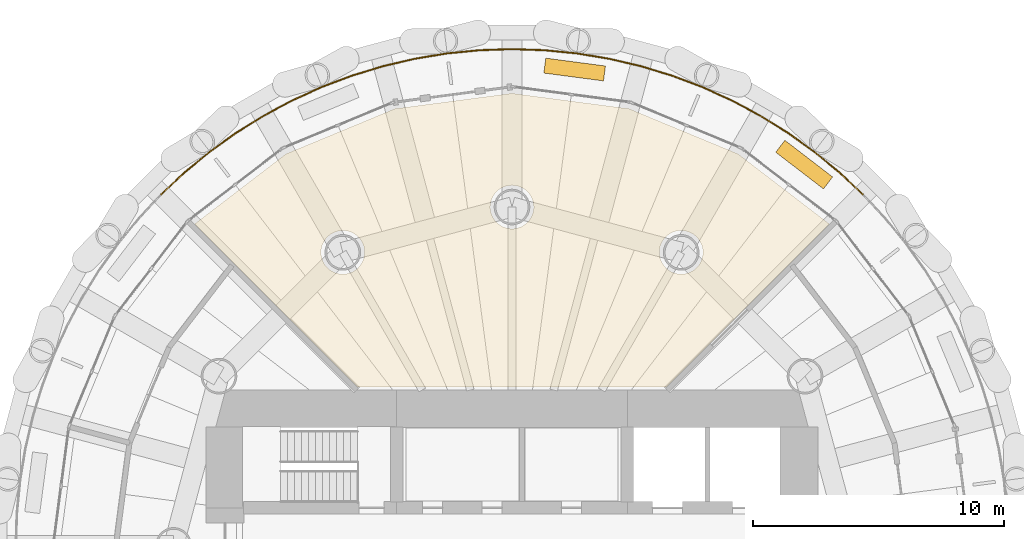
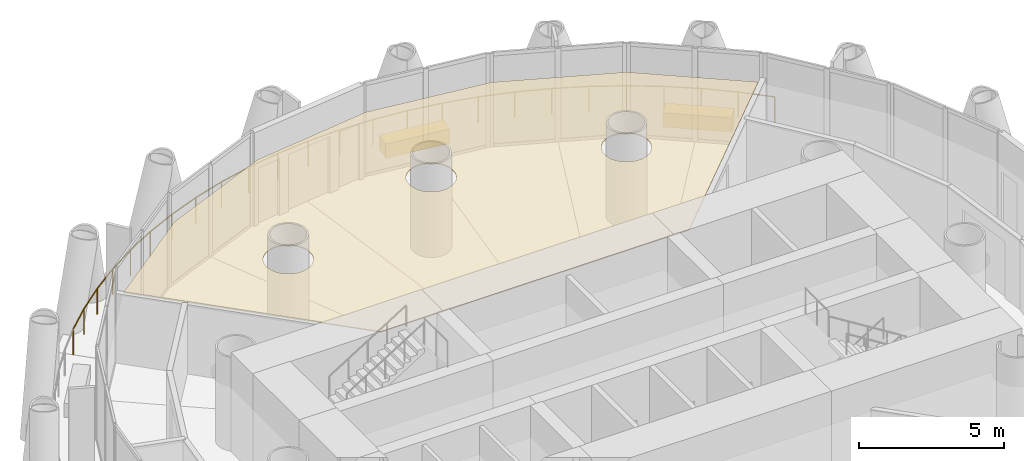
# One storey, part 13 of 13: 3 coverings, 1 railing.
"""IFC4 building model written with IfcOpenShell, lengths in metres."""

import ifcopenshell
import ifcopenshell.guid

model = None  # the IFC model being written
_history = None  # IfcOwnerHistory: only IFC2X3 demands one
_inside = {}  # id of a spatial element -> (the spatial element, [elements in it])
_under = {}  # id of a project, library or spatial element -> (it, [spatial elements below it])
_declared = {}  # id of a project -> (the project, [libraries it declares])
_typed = {}  # id of a type object -> (the type object, [elements of that type])
_made_of = {}  # id of a material, layer set ... -> (it, [elements and type objects made of it])


def new_model(schema):
    """Start an empty IFC model of exactly this schema.

    Asked for "IFC4X3", IfcOpenShell would pick the latest addendum, in which some entities
    have other attributes; the version numbers below select the first issue.
    IFC2X3 requires an IfcOwnerHistory on every rooted entity: one is made here for all.
    """
    global model, _history
    if schema == "IFC4X3":
        model = ifcopenshell.file(schema_version=(4, 3, 0, 0))
    else:
        model = ifcopenshell.file(schema=schema)
    _inside.clear()
    _under.clear()
    _declared.clear()
    _typed.clear()
    _made_of.clear()
    _history = None
    if model.schema == "IFC2X3":
        org = make("IfcOrganization", Name="unknown")
        user = make(
            "IfcPersonAndOrganization",
            ThePerson=make("IfcPerson", FamilyName="unknown"),
            TheOrganization=org,
        )
        app = make(
            "IfcApplication",
            ApplicationDeveloper=org,
            Version="unknown",
            ApplicationFullName="unknown",
            ApplicationIdentifier="unknown",
        )
        _history = make(
            "IfcOwnerHistory",
            OwningUser=user,
            OwningApplication=app,
            ChangeAction="ADDED",
            CreationDate=0,
        )
    return model


def make(cls, **values):
    """One entity of the class cls with the attributes given. An attribute that is None is left unset."""
    return model.create_entity(
        cls, **{name: value for name, value in values.items() if value is not None}
    )


def rooted(cls, **values):
    """An entity with a GlobalId (a new one), such as an element, a storey or a relation."""
    return make(cls, GlobalId=ifcopenshell.guid.new(), OwnerHistory=_history, **values)


def si_unit(unit_type, name, prefix=None):
    """IfcSIUnit, for example si_unit("LENGTHUNIT", "METRE", prefix="MILLI")."""
    return make("IfcSIUnit", UnitType=unit_type, Prefix=prefix, Name=name)


def assignment(units):
    """IfcUnitAssignment: the units of a project."""
    return None if units is None else make("IfcUnitAssignment", Units=units)


def point(xyz):
    """IfcCartesianPoint."""
    return None if xyz is None else make("IfcCartesianPoint", Coordinates=xyz)


def direction(xyz):
    """IfcDirection."""
    return None if xyz is None else make("IfcDirection", DirectionRatios=xyz)


def frame(location, z_axis=None, x_axis=None):
    """IfcAxis2Placement3D, a coordinate frame: its origin and axes. An axis left out is left unset."""
    return make(
        "IfcAxis2Placement3D",
        Location=point(location),
        Axis=direction(z_axis),
        RefDirection=direction(x_axis),
    )


def frame_2d(location, x_axis=None):
    """IfcAxis2Placement2D, a coordinate frame in the plane: its origin and x axis."""
    return make(
        "IfcAxis2Placement2D", Location=point(location), RefDirection=direction(x_axis)
    )


def origin():
    """The frame at (0, 0, 0) with its axes left unset."""
    return frame((0.0, 0.0, 0.0))


def origin_2d():
    """The frame at (0, 0) in the plane with its x axis left unset."""
    return frame_2d((0.0, 0.0))


def place(relative_to, where):
    """IfcLocalPlacement: puts the frame where relative to a parent placement (None: the world)."""
    return make(
        "IfcLocalPlacement", PlacementRelTo=relative_to, RelativePlacement=where
    )


def context(
    kind, dimensions, precision=None, world=None, true_north=None, identifier=None
):
    """IfcGeometricRepresentationContext, for example the 3D "Model" context."""
    return make(
        "IfcGeometricRepresentationContext",
        ContextIdentifier=identifier,
        ContextType=kind,
        CoordinateSpaceDimension=dimensions,
        Precision=precision,
        WorldCoordinateSystem=world,
        TrueNorth=true_north,
    )


def subcontext(parent, identifier, kind, view, scale=None):
    """IfcGeometricRepresentationSubContext, for example "Body" below "Model"."""
    return make(
        "IfcGeometricRepresentationSubContext",
        ContextIdentifier=identifier,
        ContextType=kind,
        ParentContext=parent,
        TargetScale=scale,
        TargetView=view,
    )


def project(units=None, contexts=None):
    """IfcProject with its units and contexts."""
    return rooted(
        "IfcProject",
        Name="project",
        RepresentationContexts=contexts,
        UnitsInContext=assignment(units),
    )


def spatial(cls, under=None, at=None, **own):
    """A site, building, storey or space (cls), placed at a placement, below another one or the project."""
    s = rooted(cls, ObjectPlacement=at, **own)
    if under is not None:
        _under.setdefault(under.id(), (under, []))[1].append(s)
    return s


def polyline(points):
    """IfcPolyline through the points."""
    return make("IfcPolyline", Points=[point(p) for p in points])


def profile(cls, at=None, kind="AREA", **sizes):
    """A parametric profile (cls). Its sizes go by their IFC names, for example OverallWidth=200.0."""
    return make(cls, ProfileType=kind, Position=at, **sizes)


def rectangle(**sizes):
    """IfcRectangleProfileDef."""
    return profile("IfcRectangleProfileDef", **sizes)


def circle(**sizes):
    """IfcCircleProfileDef."""
    return profile("IfcCircleProfileDef", **sizes)


def outline(outer, holes=None, kind="AREA"):
    """IfcArbitraryClosedProfileDef: a profile drawn as a closed curve; with holes, ...WithVoids."""
    if holes is None:
        return make("IfcArbitraryClosedProfileDef", ProfileType=kind, OuterCurve=outer)
    return make(
        "IfcArbitraryProfileDefWithVoids",
        ProfileType=kind,
        OuterCurve=outer,
        InnerCurves=holes,
    )


def extrude(swept, where, along, depth):
    """IfcExtrudedAreaSolid: the profile swept, set in the frame where, extruded along a direction by depth."""
    return make(
        "IfcExtrudedAreaSolid",
        SweptArea=swept,
        Position=where,
        ExtrudedDirection=direction(along),
        Depth=depth,
    )


def shape(context_of_items, identifier, shape_type, items):
    """IfcShapeRepresentation: the items that make up one representation, for example the "Body"."""
    return make(
        "IfcShapeRepresentation",
        ContextOfItems=context_of_items,
        RepresentationIdentifier=identifier,
        RepresentationType=shape_type,
        Items=items,
    )


def material(Name=None, Category=None):
    """IfcMaterial."""
    return make("IfcMaterial", Name=Name, Category=Category)


def layer(
    of_material, thickness, ventilated=None, Name=None, Category=None, Priority=None
):
    """IfcMaterialLayer: one layer of a wall or slab, of a material (None: an air gap)."""
    return make(
        "IfcMaterialLayer",
        Material=of_material,
        LayerThickness=thickness,
        IsVentilated=ventilated,
        Name=Name,
        Category=Category,
        Priority=Priority,
    )


def layer_set(layers, Name=None):
    """IfcMaterialLayerSet."""
    return make("IfcMaterialLayerSet", MaterialLayers=layers, LayerSetName=Name)


def made_of(thing, what):
    """Note that an element or type object is made of a material, layer set ...; save() writes the relation."""
    if what is not None:
        _made_of.setdefault(what.id(), (what, []))[1].append(thing)
    return thing


def type_object(cls, material=None, **own):
    """A type object (cls), such as IfcWallType, which elements share."""
    return made_of(rooted(cls, **own), material)


def element(
    cls,
    number,
    at=None,
    inside=None,
    cuts=None,
    type_object=None,
    material=None,
    context=None,
    identifier="Body",
    shape_type=None,
    held_by="IfcProductDefinitionShape",
    body=None,
    shapes=None,
    **own,
):
    """One element of the class cls, such as IfcWall. Its Tag is "e" and its number.

    at: its placement. inside: the storey or other place that contains it. cuts: it is an
    opening in that element (IfcRelVoidsElement). A single representation is given by context,
    identifier, shape_type and body (its items); several are given by shapes. held_by: the class
    of the entity that holds the representations. save() writes the other relations.
    """
    e = rooted(cls, Tag="e%d" % number, ObjectPlacement=at, **own)
    if body is not None:
        shapes = [shape(context, identifier, shape_type, body)]
    if shapes is not None:
        e.Representation = make(held_by, Representations=shapes)
    if inside is not None:
        _inside.setdefault(inside.id(), (inside, []))[1].append(e)
    if cuts is not None:
        rooted(
            "IfcRelVoidsElement", RelatingBuildingElement=cuts, RelatedOpeningElement=e
        )
    if type_object is not None:
        _typed.setdefault(type_object.id(), (type_object, []))[1].append(e)
    return made_of(e, material)


def aggregate(whole, parts):
    """IfcRelAggregates: a whole, such as a stair, and the parts it consists of."""
    return rooted("IfcRelAggregates", RelatingObject=whole, RelatedObjects=parts)


def save(model, path):
    """Write the relations noted so far, then the file.

    IfcRelAggregates (storeys below a building ...), IfcRelContainedInSpatialStructure (elements
    in a storey), IfcRelDefinesByType, IfcRelAssociatesMaterial and IfcRelDeclares: one each for
    every whole, place, type object, material and project.
    """
    for whole, parts in _under.values():
        aggregate(whole, parts)
    for where, things in _inside.values():
        rooted(
            "IfcRelContainedInSpatialStructure",
            RelatedElements=things,
            RelatingStructure=where,
        )
    for kind, things in _typed.values():
        rooted("IfcRelDefinesByType", RelatedObjects=things, RelatingType=kind)
    for what, things in _made_of.values():
        rooted("IfcRelAssociatesMaterial", RelatedObjects=things, RelatingMaterial=what)
    for by, libraries in _declared.values():
        rooted("IfcRelDeclares", RelatingContext=by, RelatedDefinitions=libraries)
    model.write(path)


model = new_model("IFC4")

# Units and contexts
model_context = context("Model", 3, precision=1e-05, world=origin(), true_north=direction((0.0, 1.0)))
body_context = subcontext(model_context, "Body", "Model", "MODEL_VIEW")
ifc_project = project(units=[si_unit("LENGTHUNIT", "METRE"), si_unit("AREAUNIT", "SQUARE_METRE"), si_unit("VOLUMEUNIT", "CUBIC_METRE"), si_unit("PLANEANGLEUNIT", "RADIAN"), si_unit("MASSUNIT", "GRAM", prefix="KILO")], contexts=[model_context])

# Site, building, storey
site_placement = place(None, origin())
site = spatial("IfcSite", under=ifc_project, at=site_placement, CompositionType="ELEMENT")
building_placement = place(site_placement, origin())
building = spatial("IfcBuilding", under=site, at=building_placement, Name="Qaws Media Tower", CompositionType="ELEMENT")
storey_placement = place(building_placement, frame((0.0, 0.0, 282.199951171875)))
storey = spatial("IfcBuildingStorey", under=building, at=storey_placement, Name="L65", CompositionType="ELEMENT", Elevation=282.199951171875)

# Covering
ifc_material_1 = material(Name="40 perforated acoustic panels with mineral wool backing, suspended", Category="mineral fibre")
ifc_layer_1 = layer(ifc_material_1, 0.0400390625)
ifc_layer_set_1 = layer_set([ifc_layer_1], Name="Acoustic panel ceiling 40")
covering_type_1 = type_object("IfcCoveringType", Name="Acoustic panel ceiling 40", PredefinedType="CEILING", material=ifc_layer_set_1)
covering_placement = place(storey_placement, frame((0.0, 0.0, 2.85009765625)))
element("IfcCovering", 1, at=covering_placement, inside=storey, type_object=covering_type_1, Name="CL3 ceiling L65-03 Executive dining room", PredefinedType="CEILING", context=body_context, shape_type="SweptSolid", body=[
    extrude(outline(polyline([(50.982421875, 65.618896484375), (55.33203125, 67.420654296875), (60.0, 68.03515625), (64.66796875, 67.420654296875), (69.017578125, 65.618896484375), (72.662841796875, 62.822021484375), (66.1533203125, 56.3125), (53.8466796875, 56.3125), (47.337158203125, 62.822021484375), (50.982421875, 65.618896484375)]), holes=[polyline([(54.0546875, 61.35791015625), (54.09130859375, 61.4658203125), (54.113525390625, 61.57763671875), (54.12109375, 61.69140625), (54.113525390625, 61.804931640625), (54.09130859375, 61.916748046875), (54.0546875, 62.024658203125), (54.00439453125, 62.126708984375), (53.94091796875, 62.2216796875), (53.865966796875, 62.30712890625), (53.7802734375, 62.38232421875), (53.685546875, 62.44580078125), (53.583251953125, 62.49609375), (53.475341796875, 62.53271484375), (53.36376953125, 62.554931640625), (53.25, 62.562255859375), (53.13623046875, 62.554931640625), (53.024658203125, 62.53271484375), (52.916748046875, 62.49609375), (52.814453125, 62.44580078125), (52.7197265625, 62.38232421875), (52.634033203125, 62.30712890625), (52.55908203125, 62.2216796875), (52.49560546875, 62.126708984375), (52.4453125, 62.024658203125), (52.40869140625, 61.916748046875), (52.386474609375, 61.804931640625), (52.37890625, 61.69140625), (52.386474609375, 61.57763671875), (52.40869140625, 61.4658203125), (52.4453125, 61.35791015625), (52.49560546875, 61.255859375), (52.55908203125, 61.1611328125), (52.634033203125, 61.075439453125), (52.7197265625, 61.000244140625), (52.814453125, 60.93701171875), (52.916748046875, 60.88671875), (53.024658203125, 60.85009765625), (53.13623046875, 60.827880859375), (53.25, 60.8203125), (53.36376953125, 60.827880859375), (53.475341796875, 60.85009765625), (53.583251953125, 60.88671875), (53.685546875, 60.93701171875), (53.7802734375, 61.000244140625), (53.865966796875, 61.075439453125), (53.94091796875, 61.1611328125), (54.00439453125, 61.255859375), (54.0546875, 61.35791015625)]), polyline([(60.8046875, 63.166748046875), (60.84130859375, 63.274658203125), (60.863525390625, 63.38623046875), (60.87109375, 63.5), (60.863525390625, 63.61376953125), (60.84130859375, 63.725341796875), (60.8046875, 63.833251953125), (60.75439453125, 63.935546875), (60.69091796875, 64.0302734375), (60.615966796875, 64.115966796875), (60.5302734375, 64.19091796875), (60.435546875, 64.25439453125), (60.333251953125, 64.3046875), (60.225341796875, 64.34130859375), (60.11376953125, 64.363525390625), (60.0, 64.37109375), (59.88623046875, 64.363525390625), (59.774658203125, 64.34130859375), (59.666748046875, 64.3046875), (59.564453125, 64.25439453125), (59.4697265625, 64.19091796875), (59.384033203125, 64.115966796875), (59.30908203125, 64.0302734375), (59.24560546875, 63.935546875), (59.1953125, 63.833251953125), (59.15869140625, 63.725341796875), (59.136474609375, 63.61376953125), (59.12890625, 63.5), (59.136474609375, 63.38623046875), (59.15869140625, 63.274658203125), (59.1953125, 63.166748046875), (59.24560546875, 63.064453125), (59.30908203125, 62.9697265625), (59.384033203125, 62.884033203125), (59.4697265625, 62.80908203125), (59.564453125, 62.74560546875), (59.666748046875, 62.6953125), (59.774658203125, 62.65869140625), (59.88623046875, 62.636474609375), (60.0, 62.62890625), (60.11376953125, 62.636474609375), (60.225341796875, 62.65869140625), (60.333251953125, 62.6953125), (60.435546875, 62.74560546875), (60.5302734375, 62.80908203125), (60.615966796875, 62.884033203125), (60.69091796875, 62.9697265625), (60.75439453125, 63.064453125), (60.8046875, 63.166748046875)]), polyline([(67.5546875, 61.35791015625), (67.59130859375, 61.4658203125), (67.613525390625, 61.57763671875), (67.62109375, 61.69140625), (67.613525390625, 61.804931640625), (67.59130859375, 61.916748046875), (67.5546875, 62.024658203125), (67.50439453125, 62.126708984375), (67.44091796875, 62.2216796875), (67.365966796875, 62.30712890625), (67.2802734375, 62.38232421875), (67.185546875, 62.44580078125), (67.083251953125, 62.49609375), (66.975341796875, 62.53271484375), (66.86376953125, 62.554931640625), (66.75, 62.562255859375), (66.63623046875, 62.554931640625), (66.524658203125, 62.53271484375), (66.416748046875, 62.49609375), (66.314453125, 62.44580078125), (66.2197265625, 62.38232421875), (66.134033203125, 62.30712890625), (66.05908203125, 62.2216796875), (65.99560546875, 62.126708984375), (65.9453125, 62.024658203125), (65.90869140625, 61.916748046875), (65.886474609375, 61.804931640625), (65.87890625, 61.69140625), (65.886474609375, 61.57763671875), (65.90869140625, 61.4658203125), (65.9453125, 61.35791015625), (65.99560546875, 61.255859375), (66.05908203125, 61.1611328125), (66.134033203125, 61.075439453125), (66.2197265625, 61.000244140625), (66.314453125, 60.93701171875), (66.416748046875, 60.88671875), (66.524658203125, 60.85009765625), (66.63623046875, 60.827880859375), (66.75, 60.8203125), (66.86376953125, 60.827880859375), (66.975341796875, 60.85009765625), (67.083251953125, 60.88671875), (67.185546875, 60.93701171875), (67.2802734375, 61.000244140625), (67.365966796875, 61.075439453125), (67.44091796875, 61.1611328125), (67.50439453125, 61.255859375), (67.5546875, 61.35791015625)])]), origin(), (0.0, 0.0, 1.0), 0.0400390625),
])

# Railing
ifc_material_2 = material(Name="Stainless steel and glass guard", Category="steel")
railing_type = type_object("IfcRailingType", Name="Balcony guard 1100", PredefinedType="GUARDRAIL", material=ifc_material_2)
railing_placement = place(storey_placement, frame((74.000732421875, 64.000732421875, 0.0)))
element("IfcRailing", 2, at=railing_placement, inside=storey, type_object=railing_type, Name="GR1 balcony guard L65-1", PredefinedType="GUARDRAIL", context=body_context, shape_type="SweptSolid", body=[
    extrude(circle(Radius=0.02392578125, at=origin_2d()), frame((0.0, 0.0, 1.076171875), z_axis=(-0.729901386627, 0.683552460166, 0.0), x_axis=(-0.683552460166, -0.729901386627, 0.0)), (0.0, 0.0, 1.0), 1.2958984375),
    extrude(circle(Radius=0.02392578125, at=origin_2d()), frame((-0.94580078125, 0.8857421875, 1.076171875), z_axis=(-0.77295726131, 0.634458093328, 0.0), x_axis=(-0.634458093328, -0.77295726131, 0.0)), (0.0, 0.0, 1.0), 1.295654296875),
    extrude(circle(Radius=0.02392578125, at=origin_2d()), frame((-1.947265625, 1.707763671875, 1.076171875), z_axis=(-0.812879574997, 0.582431795623, 0.0), x_axis=(-0.582431795623, -0.812879574997, 0.0)), (0.0, 0.0, 1.0), 1.295654296875),
    extrude(circle(Radius=0.02392578125, at=origin_2d()), frame((-3.00048828125, 2.46240234375, 1.076171875), z_axis=(-0.849255639711, 0.527981873191, 0.0), x_axis=(-0.527981873191, -0.849255639711, 0.0)), (0.0, 0.0, 1.0), 1.295654296875),
    extrude(circle(Radius=0.02392578125, at=origin_2d()), frame((-4.100830078125, 3.146484375, 1.076171875), z_axis=(-0.881883040816, 0.471468241052, 0.0), x_axis=(-0.471468241052, -0.881883040816, 0.0)), (0.0, 0.0, 1.0), 1.295654296875),
    extrude(circle(Radius=0.02392578125, at=origin_2d()), frame((-5.243408203125, 3.75732421875, 1.076171875), z_axis=(-0.910882022025, 0.412666865584, 0.0), x_axis=(-0.412666865584, -0.910882022025, 0.0)), (0.0, 0.0, 1.0), 1.295654296875),
    extrude(circle(Radius=0.02392578125, at=origin_2d()), frame((-6.423583984375, 4.2919921875, 1.076171875), z_axis=(-0.935871536227, 0.352341407841, 0.0), x_axis=(-0.352341407841, -0.935871536227, 0.0)), (0.0, 0.0, 1.0), 1.295654296875),
    extrude(circle(Radius=0.02392578125, at=origin_2d()), frame((-7.63623046875, 4.74853515625, 1.076171875), z_axis=(-0.956976851198, 0.29016427463, 0.0), x_axis=(-0.29016427463, -0.956976851198, 0.0)), (0.0, 0.0, 1.0), 1.295654296875),
    extrude(circle(Radius=0.02392578125, at=origin_2d()), frame((-8.876220703125, 5.12451171875, 1.076171875), z_axis=(-0.973877337324, 0.227074727453, 0.0), x_axis=(-0.227074727453, -0.973877337324, 0.0)), (0.0, 0.0, 1.0), 1.295654296875),
    extrude(circle(Radius=0.02392578125, at=origin_2d()), frame((-10.137939453125, 5.418701171875, 1.076171875), z_axis=(-0.986627188509, 0.162993223464, 0.0), x_axis=(-0.162993223464, -0.986627188509, 0.0)), (0.0, 0.0, 1.0), 1.295654296875),
    extrude(circle(Radius=0.02392578125, at=origin_2d()), frame((-11.416259765625, 5.6298828125, 1.076171875), z_axis=(-0.995188982085, 0.097973924779, 0.0), x_axis=(-0.097973924779, -0.995188982085, 0.0)), (0.0, 0.0, 1.0), 1.2958984375),
    extrude(circle(Radius=0.02392578125, at=origin_2d()), frame((-12.705810546875, 5.7568359375, 1.076171875), z_axis=(-0.999462335821, 0.03278779156, 0.0), x_axis=(-0.03278779156, -0.999462335821, 0.0)), (0.0, 0.0, 1.0), 1.295654296875),
    extrude(circle(Radius=0.02392578125, at=origin_2d()), frame((-14.000732421875, 5.79931640625, 1.076171875), z_axis=(-0.999462335821, -0.03278779156, 0.0), x_axis=(0.03278779156, -0.999462335821, 0.0)), (0.0, 0.0, 1.0), 1.295654296875),
    extrude(circle(Radius=0.02392578125, at=origin_2d()), frame((-15.295654296875, 5.7568359375, 1.076171875), z_axis=(-0.995188982085, -0.097973924779, 0.0), x_axis=(0.097973924779, -0.995188982085, 0.0)), (0.0, 0.0, 1.0), 1.2958984375),
    extrude(circle(Radius=0.02392578125, at=origin_2d()), frame((-16.585205078125, 5.6298828125, 1.076171875), z_axis=(-0.986627188509, -0.162993223464, 0.0), x_axis=(0.162993223464, -0.986627188509, 0.0)), (0.0, 0.0, 1.0), 1.295654296875),
    extrude(circle(Radius=0.02392578125, at=origin_2d()), frame((-17.863525390625, 5.418701171875, 1.076171875), z_axis=(-0.973877337324, -0.227074727453, 0.0), x_axis=(0.227074727453, -0.973877337324, 0.0)), (0.0, 0.0, 1.0), 1.295654296875),
    extrude(circle(Radius=0.02392578125, at=origin_2d()), frame((-19.125244140625, 5.12451171875, 1.076171875), z_axis=(-0.956976851198, -0.29016427463, 0.0), x_axis=(0.29016427463, -0.956976851198, 0.0)), (0.0, 0.0, 1.0), 1.295654296875),
    extrude(circle(Radius=0.02392578125, at=origin_2d()), frame((-20.365234375, 4.74853515625, 1.076171875), z_axis=(-0.935871536227, -0.352341407841, 0.0), x_axis=(0.352341407841, -0.935871536227, 0.0)), (0.0, 0.0, 1.0), 1.295654296875),
    extrude(circle(Radius=0.02392578125, at=origin_2d()), frame((-21.577880859375, 4.2919921875, 1.076171875), z_axis=(-0.910882022025, -0.412666865584, 0.0), x_axis=(0.412666865584, -0.910882022025, 0.0)), (0.0, 0.0, 1.0), 1.295654296875),
    extrude(circle(Radius=0.02392578125, at=origin_2d()), frame((-22.758056640625, 3.75732421875, 1.076171875), z_axis=(-0.881883040816, -0.471468241052, 0.0), x_axis=(0.471468241052, -0.881883040816, 0.0)), (0.0, 0.0, 1.0), 1.295654296875),
    extrude(circle(Radius=0.02392578125, at=origin_2d()), frame((-23.900634765625, 3.146484375, 1.076171875), z_axis=(-0.849255639711, -0.527981873191, 0.0), x_axis=(0.527981873191, -0.849255639711, 0.0)), (0.0, 0.0, 1.0), 1.295654296875),
    extrude(circle(Radius=0.02392578125, at=origin_2d()), frame((-25.0009765625, 2.46240234375, 1.076171875), z_axis=(-0.812879574997, -0.582431795623, 0.0), x_axis=(0.582431795623, -0.812879574997, 0.0)), (0.0, 0.0, 1.0), 1.295654296875),
    extrude(circle(Radius=0.02392578125, at=origin_2d()), frame((-26.05419921875, 1.707763671875, 1.076171875), z_axis=(-0.77295726131, -0.634458093328, 0.0), x_axis=(0.634458093328, -0.77295726131, 0.0)), (0.0, 0.0, 1.0), 1.295654296875),
    extrude(circle(Radius=0.02392578125, at=origin_2d()), frame((-27.0556640625, 0.8857421875, 1.076171875), z_axis=(-0.729901386627, -0.683552460166, 0.0), x_axis=(0.683552460166, -0.729901386627, 0.0)), (0.0, 0.0, 1.0), 1.2958984375),
    extrude(circle(Radius=0.02099609375, at=origin_2d()), origin(), (0.0, 0.0, 1.0), 1.052001953125),
    extrude(circle(Radius=0.02099609375, at=origin_2d()), frame((-0.94580078125, 0.8857421875, 0.0)), (0.0, 0.0, 1.0), 1.052001953125),
    extrude(circle(Radius=0.02099609375, at=origin_2d()), frame((-1.947265625, 1.707763671875, 0.0)), (0.0, 0.0, 1.0), 1.052001953125),
    extrude(circle(Radius=0.02099609375, at=origin_2d()), frame((-3.00048828125, 2.46240234375, 0.0)), (0.0, 0.0, 1.0), 1.052001953125),
    extrude(circle(Radius=0.02099609375, at=origin_2d()), frame((-4.100830078125, 3.146484375, 0.0)), (0.0, 0.0, 1.0), 1.052001953125),
    extrude(circle(Radius=0.02099609375, at=origin_2d()), frame((-5.243408203125, 3.75732421875, 0.0)), (0.0, 0.0, 1.0), 1.052001953125),
    extrude(circle(Radius=0.02099609375, at=origin_2d()), frame((-6.423583984375, 4.2919921875, 0.0)), (0.0, 0.0, 1.0), 1.052001953125),
    extrude(circle(Radius=0.02099609375, at=origin_2d()), frame((-7.63623046875, 4.74853515625, 0.0)), (0.0, 0.0, 1.0), 1.052001953125),
    extrude(circle(Radius=0.02099609375, at=origin_2d()), frame((-8.876220703125, 5.12451171875, 0.0)), (0.0, 0.0, 1.0), 1.052001953125),
    extrude(circle(Radius=0.02099609375, at=origin_2d()), frame((-10.137939453125, 5.418701171875, 0.0)), (0.0, 0.0, 1.0), 1.052001953125),
    extrude(circle(Radius=0.02099609375, at=origin_2d()), frame((-11.416259765625, 5.6298828125, 0.0)), (0.0, 0.0, 1.0), 1.052001953125),
    extrude(circle(Radius=0.02099609375, at=origin_2d()), frame((-12.705810546875, 5.7568359375, 0.0)), (0.0, 0.0, 1.0), 1.052001953125),
    extrude(circle(Radius=0.02099609375, at=origin_2d()), frame((-14.000732421875, 5.79931640625, 0.0)), (0.0, 0.0, 1.0), 1.052001953125),
    extrude(circle(Radius=0.02099609375, at=origin_2d()), frame((-15.295654296875, 5.7568359375, 0.0)), (0.0, 0.0, 1.0), 1.052001953125),
    extrude(circle(Radius=0.02099609375, at=origin_2d()), frame((-16.585205078125, 5.6298828125, 0.0)), (0.0, 0.0, 1.0), 1.052001953125),
    extrude(circle(Radius=0.02099609375, at=origin_2d()), frame((-17.863525390625, 5.418701171875, 0.0)), (0.0, 0.0, 1.0), 1.052001953125),
    extrude(circle(Radius=0.02099609375, at=origin_2d()), frame((-19.125244140625, 5.12451171875, 0.0)), (0.0, 0.0, 1.0), 1.052001953125),
    extrude(circle(Radius=0.02099609375, at=origin_2d()), frame((-20.365234375, 4.74853515625, 0.0)), (0.0, 0.0, 1.0), 1.052001953125),
    extrude(circle(Radius=0.02099609375, at=origin_2d()), frame((-21.577880859375, 4.2919921875, 0.0)), (0.0, 0.0, 1.0), 1.052001953125),
    extrude(circle(Radius=0.02099609375, at=origin_2d()), frame((-22.758056640625, 3.75732421875, 0.0)), (0.0, 0.0, 1.0), 1.052001953125),
    extrude(circle(Radius=0.02099609375, at=origin_2d()), frame((-23.900634765625, 3.146484375, 0.0)), (0.0, 0.0, 1.0), 1.052001953125),
    extrude(circle(Radius=0.02099609375, at=origin_2d()), frame((-25.0009765625, 2.46240234375, 0.0)), (0.0, 0.0, 1.0), 1.052001953125),
    extrude(circle(Radius=0.02099609375, at=origin_2d()), frame((-26.05419921875, 1.707763671875, 0.0)), (0.0, 0.0, 1.0), 1.052001953125),
    extrude(circle(Radius=0.02099609375, at=origin_2d()), frame((-27.0556640625, 0.8857421875, 0.0)), (0.0, 0.0, 1.0), 1.052001953125),
    extrude(circle(Radius=0.02099609375, at=origin_2d()), frame((-28.00146484375, 0.0, 0.0)), (0.0, 0.0, 1.0), 1.052001953125),
])

# Coverings
ifc_material_3 = material(Name="Precast concrete planter with trailing planting", Category="concrete")
ifc_layer_2 = layer(ifc_material_3, 0.60009765625)
ifc_layer_set_2 = layer_set([ifc_layer_2], Name="Planter 2400x600")
covering_type_2 = type_object("IfcCoveringType", Name="Planter 2400x600", PredefinedType="USERDEFINED", material=ifc_layer_set_2)
for number, where, z_axis, x_axis, name in (
    (3, (71.65771484375, 65.192626953125, 0.0), (0.0, 0.0, 1.0), (-0.793353340291, 0.608761429009, 0.0), "PL1 balcony planter L65-02"),
    (4, (62.49951171875, 68.986083984375, 0.0), (0.0, 0.0, 1.0), (-0.991444861374, 0.13052619222, 0.0), "PL1 balcony planter L65-03"),
):
    element("IfcCovering", number, at=place(storey_placement, frame(where, z_axis=z_axis, x_axis=x_axis)), inside=storey, type_object=covering_type_2, Name=name, ObjectType="PLANTER", PredefinedType="USERDEFINED", context=body_context, shape_type="SweptSolid", body=[
        extrude(rectangle(XDim=2.39990234375, YDim=0.60009765625, at=origin_2d()), origin(), (0.0, 0.0, 1.0), 0.60009765625),
    ])

save(model, "model.ifc")
